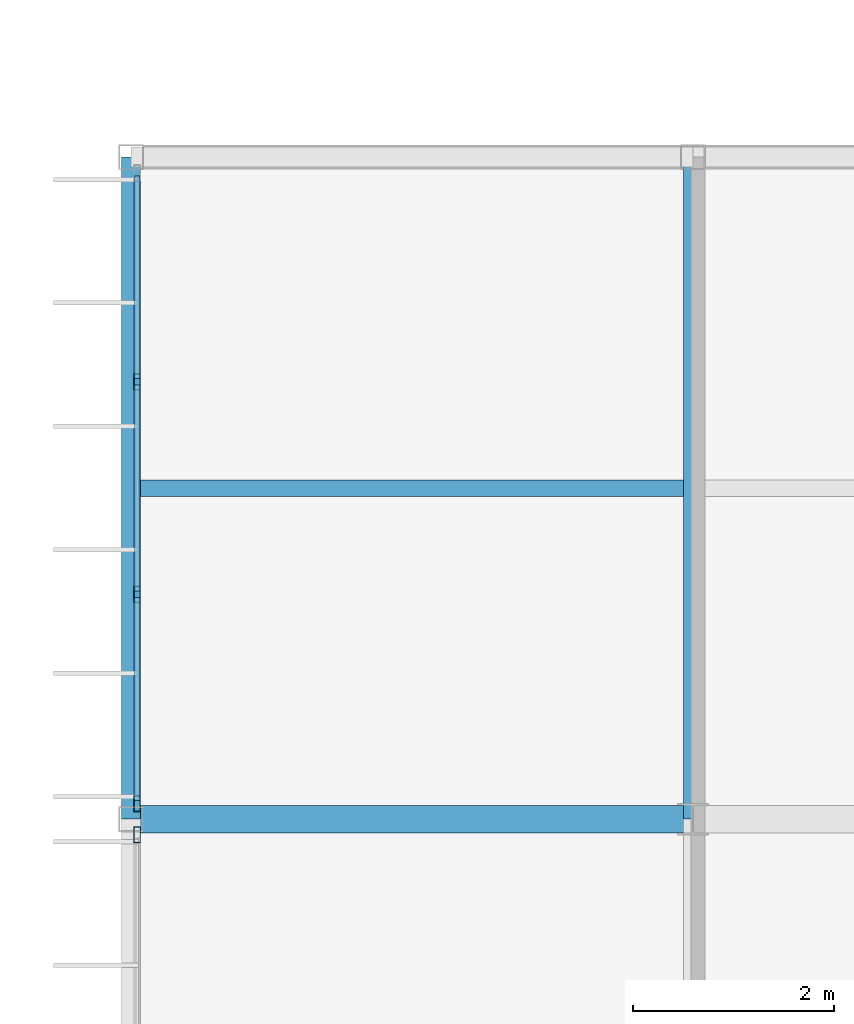
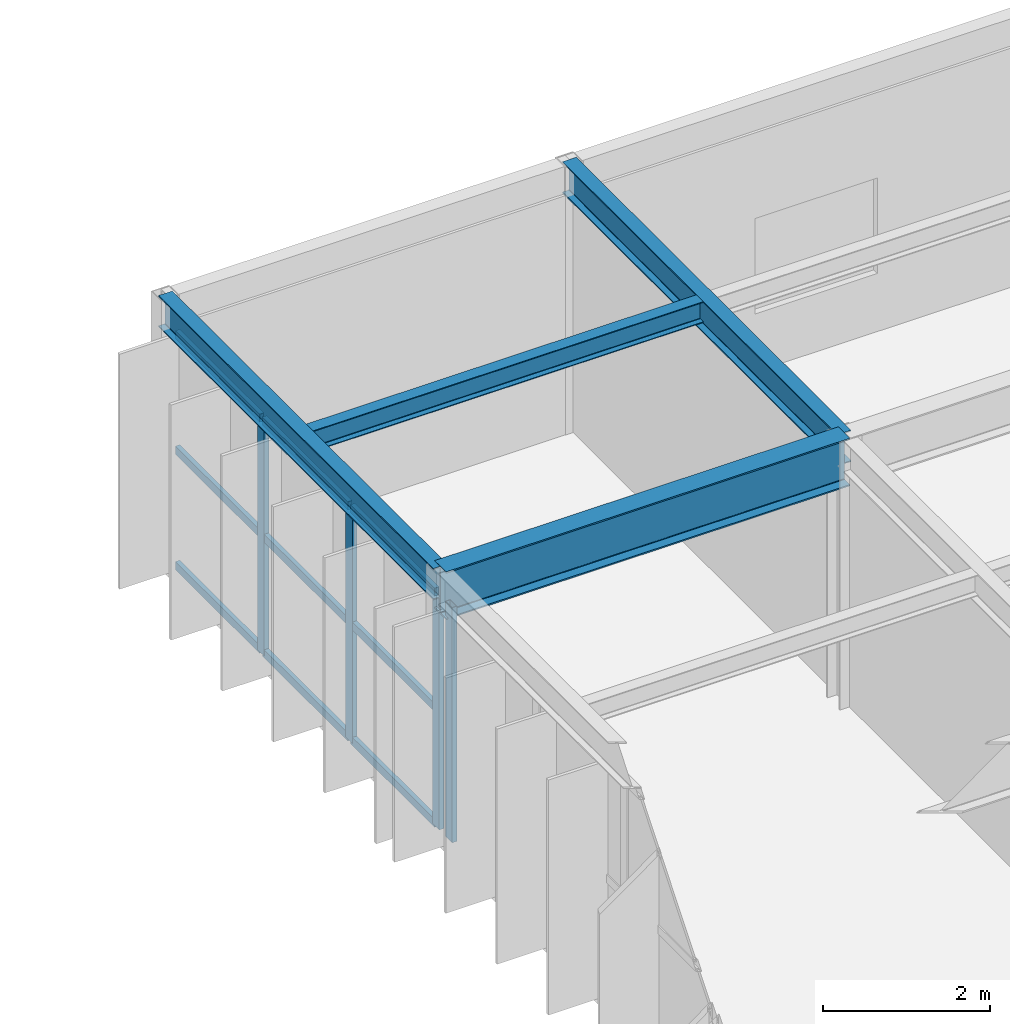
# One storey, part 78 of 157: 13 members, 4 beams, 2 elements without a shape of their own.
"""IFC4 building model written with IfcOpenShell, lengths in metres."""

import ifcopenshell
import ifcopenshell.guid

model = None  # the IFC model being written
_history = None  # IfcOwnerHistory: only IFC2X3 demands one
_inside = {}  # id of a spatial element -> (the spatial element, [elements in it])
_under = {}  # id of a project, library or spatial element -> (it, [spatial elements below it])
_declared = {}  # id of a project -> (the project, [libraries it declares])
_typed = {}  # id of a type object -> (the type object, [elements of that type])
_made_of = {}  # id of a material, layer set ... -> (it, [elements and type objects made of it])


def new_model(schema):
    """Start an empty IFC model of exactly this schema.

    Asked for "IFC4X3", IfcOpenShell would pick the latest addendum, in which some entities
    have other attributes; the version numbers below select the first issue.
    IFC2X3 requires an IfcOwnerHistory on every rooted entity: one is made here for all.
    """
    global model, _history
    if schema == "IFC4X3":
        model = ifcopenshell.file(schema_version=(4, 3, 0, 0))
    else:
        model = ifcopenshell.file(schema=schema)
    _inside.clear()
    _under.clear()
    _declared.clear()
    _typed.clear()
    _made_of.clear()
    _history = None
    if model.schema == "IFC2X3":
        org = make("IfcOrganization", Name="unknown")
        user = make(
            "IfcPersonAndOrganization",
            ThePerson=make("IfcPerson", FamilyName="unknown"),
            TheOrganization=org,
        )
        app = make(
            "IfcApplication",
            ApplicationDeveloper=org,
            Version="unknown",
            ApplicationFullName="unknown",
            ApplicationIdentifier="unknown",
        )
        _history = make(
            "IfcOwnerHistory",
            OwningUser=user,
            OwningApplication=app,
            ChangeAction="ADDED",
            CreationDate=0,
        )
    return model


def make(cls, **values):
    """One entity of the class cls with the attributes given. An attribute that is None is left unset."""
    return model.create_entity(
        cls, **{name: value for name, value in values.items() if value is not None}
    )


def rooted(cls, **values):
    """An entity with a GlobalId (a new one), such as an element, a storey or a relation."""
    return make(cls, GlobalId=ifcopenshell.guid.new(), OwnerHistory=_history, **values)


def si_unit(unit_type, name, prefix=None):
    """IfcSIUnit, for example si_unit("LENGTHUNIT", "METRE", prefix="MILLI")."""
    return make("IfcSIUnit", UnitType=unit_type, Prefix=prefix, Name=name)


def assignment(units):
    """IfcUnitAssignment: the units of a project."""
    return None if units is None else make("IfcUnitAssignment", Units=units)


def point(xyz):
    """IfcCartesianPoint."""
    return None if xyz is None else make("IfcCartesianPoint", Coordinates=xyz)


def direction(xyz):
    """IfcDirection."""
    return None if xyz is None else make("IfcDirection", DirectionRatios=xyz)


def frame(location, z_axis=None, x_axis=None):
    """IfcAxis2Placement3D, a coordinate frame: its origin and axes. An axis left out is left unset."""
    return make(
        "IfcAxis2Placement3D",
        Location=point(location),
        Axis=direction(z_axis),
        RefDirection=direction(x_axis),
    )


def frame_2d(location, x_axis=None):
    """IfcAxis2Placement2D, a coordinate frame in the plane: its origin and x axis."""
    return make(
        "IfcAxis2Placement2D", Location=point(location), RefDirection=direction(x_axis)
    )


def origin():
    """The frame at (0, 0, 0) with its axes left unset."""
    return frame((0.0, 0.0, 0.0))


def origin_2d():
    """The frame at (0, 0) in the plane with its x axis left unset."""
    return frame_2d((0.0, 0.0))


def place(relative_to, where):
    """IfcLocalPlacement: puts the frame where relative to a parent placement (None: the world)."""
    return make(
        "IfcLocalPlacement", PlacementRelTo=relative_to, RelativePlacement=where
    )


def context(
    kind, dimensions, precision=None, world=None, true_north=None, identifier=None
):
    """IfcGeometricRepresentationContext, for example the 3D "Model" context."""
    return make(
        "IfcGeometricRepresentationContext",
        ContextIdentifier=identifier,
        ContextType=kind,
        CoordinateSpaceDimension=dimensions,
        Precision=precision,
        WorldCoordinateSystem=world,
        TrueNorth=true_north,
    )


def subcontext(parent, identifier, kind, view, scale=None):
    """IfcGeometricRepresentationSubContext, for example "Body" below "Model"."""
    return make(
        "IfcGeometricRepresentationSubContext",
        ContextIdentifier=identifier,
        ContextType=kind,
        ParentContext=parent,
        TargetScale=scale,
        TargetView=view,
    )


def project(units=None, contexts=None):
    """IfcProject with its units and contexts."""
    return rooted(
        "IfcProject",
        Name="project",
        RepresentationContexts=contexts,
        UnitsInContext=assignment(units),
    )


def spatial(cls, under=None, at=None, **own):
    """A site, building, storey or space (cls), placed at a placement, below another one or the project."""
    s = rooted(cls, ObjectPlacement=at, **own)
    if under is not None:
        _under.setdefault(under.id(), (under, []))[1].append(s)
    return s


def profile(cls, at=None, kind="AREA", **sizes):
    """A parametric profile (cls). Its sizes go by their IFC names, for example OverallWidth=200.0."""
    return make(cls, ProfileType=kind, Position=at, **sizes)


def hollow_rectangle(**sizes):
    """IfcRectangleHollowProfileDef."""
    return profile("IfcRectangleHollowProfileDef", **sizes)


def i_section(**sizes):
    """IfcIShapeProfileDef."""
    return profile("IfcIShapeProfileDef", **sizes)


def extrude(swept, where, along, depth):
    """IfcExtrudedAreaSolid: the profile swept, set in the frame where, extruded along a direction by depth."""
    return make(
        "IfcExtrudedAreaSolid",
        SweptArea=swept,
        Position=where,
        ExtrudedDirection=direction(along),
        Depth=depth,
    )


def shape(context_of_items, identifier, shape_type, items):
    """IfcShapeRepresentation: the items that make up one representation, for example the "Body"."""
    return make(
        "IfcShapeRepresentation",
        ContextOfItems=context_of_items,
        RepresentationIdentifier=identifier,
        RepresentationType=shape_type,
        Items=items,
    )


def material(Name=None, Category=None):
    """IfcMaterial."""
    return make("IfcMaterial", Name=Name, Category=Category)


def material_profile(
    of_material, cross_section, Name=None, Category=None, Priority=None
):
    """IfcMaterialProfile: a cross section and its material."""
    return make(
        "IfcMaterialProfile",
        Name=Name,
        Material=of_material,
        Profile=cross_section,
        Priority=Priority,
        Category=Category,
    )


def profile_set(profiles, Name=None, composite=None):
    """IfcMaterialProfileSet."""
    return make(
        "IfcMaterialProfileSet",
        Name=Name,
        MaterialProfiles=profiles,
        CompositeProfile=composite,
    )


def made_of(thing, what):
    """Note that an element or type object is made of a material, layer set ...; save() writes the relation."""
    if what is not None:
        _made_of.setdefault(what.id(), (what, []))[1].append(thing)
    return thing


def type_object(cls, material=None, **own):
    """A type object (cls), such as IfcWallType, which elements share."""
    return made_of(rooted(cls, **own), material)


def element(
    cls,
    number,
    at=None,
    inside=None,
    cuts=None,
    type_object=None,
    material=None,
    context=None,
    identifier="Body",
    shape_type=None,
    held_by="IfcProductDefinitionShape",
    body=None,
    shapes=None,
    **own,
):
    """One element of the class cls, such as IfcWall. Its Tag is "e" and its number.

    at: its placement. inside: the storey or other place that contains it. cuts: it is an
    opening in that element (IfcRelVoidsElement). A single representation is given by context,
    identifier, shape_type and body (its items); several are given by shapes. held_by: the class
    of the entity that holds the representations. save() writes the other relations.
    """
    e = rooted(cls, Tag="e%d" % number, ObjectPlacement=at, **own)
    if body is not None:
        shapes = [shape(context, identifier, shape_type, body)]
    if shapes is not None:
        e.Representation = make(held_by, Representations=shapes)
    if inside is not None:
        _inside.setdefault(inside.id(), (inside, []))[1].append(e)
    if cuts is not None:
        rooted(
            "IfcRelVoidsElement", RelatingBuildingElement=cuts, RelatedOpeningElement=e
        )
    if type_object is not None:
        _typed.setdefault(type_object.id(), (type_object, []))[1].append(e)
    return made_of(e, material)


def aggregate(whole, parts):
    """IfcRelAggregates: a whole, such as a stair, and the parts it consists of."""
    return rooted("IfcRelAggregates", RelatingObject=whole, RelatedObjects=parts)


def save(model, path):
    """Write the relations noted so far, then the file.

    IfcRelAggregates (storeys below a building ...), IfcRelContainedInSpatialStructure (elements
    in a storey), IfcRelDefinesByType, IfcRelAssociatesMaterial and IfcRelDeclares: one each for
    every whole, place, type object, material and project.
    """
    for whole, parts in _under.values():
        aggregate(whole, parts)
    for where, things in _inside.values():
        rooted(
            "IfcRelContainedInSpatialStructure",
            RelatedElements=things,
            RelatingStructure=where,
        )
    for kind, things in _typed.values():
        rooted("IfcRelDefinesByType", RelatedObjects=things, RelatingType=kind)
    for what, things in _made_of.values():
        rooted("IfcRelAssociatesMaterial", RelatedObjects=things, RelatingMaterial=what)
    for by, libraries in _declared.values():
        rooted("IfcRelDeclares", RelatingContext=by, RelatedDefinitions=libraries)
    model.write(path)


model = new_model("IFC4")

# Units and contexts
model_context = context("Model", 3, precision=1e-05, world=origin(), true_north=direction((0.0, 1.0)))
body_context = subcontext(model_context, "Body", "Model", "MODEL_VIEW")
ifc_project = project(units=[si_unit("LENGTHUNIT", "METRE"), si_unit("AREAUNIT", "SQUARE_METRE"), si_unit("VOLUMEUNIT", "CUBIC_METRE"), si_unit("PLANEANGLEUNIT", "RADIAN"), si_unit("MASSUNIT", "GRAM", prefix="KILO")], contexts=[model_context])

# Site, building, storey
site_placement = place(None, origin())
site = spatial("IfcSite", under=ifc_project, at=site_placement, CompositionType="ELEMENT")
building_placement = place(site_placement, origin())
building = spatial("IfcBuilding", under=site, at=building_placement, Name="Karori Crest Natural Sciences Institute", CompositionType="ELEMENT")
storey_placement = place(building_placement, frame((0.0, 0.0, 13.300048828125)))
storey = spatial("IfcBuildingStorey", under=building, at=storey_placement, Name="L03", CompositionType="ELEMENT", Elevation=13.300048828125)

# Beams
ifc_material_1 = material(Name="Structural steel AS/NZS 3679.1 Grade 350", Category="steel")
ifc_material_profile_1 = material_profile(ifc_material_1, i_section(OverallWidth=0.27490234375, OverallDepth=0.699951171875, WebThickness=0.010009765625, FlangeThickness=0.02001953125, FilletRadius=0.013916015625, at=origin_2d()), Name="700WB150")
ifc_profile_set_1 = profile_set([ifc_material_profile_1], Name="Structural steel AS/NZS 3679.1 Grade 350")
beam_type_1 = type_object("IfcBeamType", Name="BT-03", PredefinedType="BEAM", material=ifc_profile_set_1)
beam_1_placement = place(storey_placement, frame((1.800048828125, 66.800048828125, 3.570068359375), z_axis=(1.0, 0.0, 0.0), x_axis=(0.0, 1.0, 0.0)))
element("IfcBeam", 1, at=beam_1_placement, inside=storey, type_object=beam_type_1, Name="Beam B-1155", PredefinedType="BEAM", context=body_context, shape_type="SweptSolid", body=[
    extrude(i_section(OverallWidth=0.27490234375, OverallDepth=0.699951171875, WebThickness=0.010009765625, FlangeThickness=0.02001953125, FilletRadius=0.013916015625, at=origin_2d()), origin(), (0.0, 0.0, 1.0), 5.599853515625),
])
ifc_material_profile_2 = material_profile(ifc_material_1, i_section(OverallWidth=0.19091796875, OverallDepth=0.4599609375, WebThickness=0.010009765625, FlangeThickness=0.01611328125, FilletRadius=0.010986328125, at=origin_2d()), Name="460UB82.1")
ifc_profile_set_2 = profile_set([ifc_material_profile_2], Name="Structural steel AS/NZS 3679.1 Grade 350")
beam_type_2 = type_object("IfcBeamType", Name="BT-06", PredefinedType="BEAM", material=ifc_profile_set_2)
beam_2_placement = place(storey_placement, frame((7.39990234375, 66.800048828125, 3.68994140625), z_axis=(0.0, 1.0, 0.0), x_axis=(-1.0, 0.0, 0.0)))
element("IfcBeam", 2, at=beam_2_placement, inside=storey, type_object=beam_type_2, Name="Beam B-1174", PredefinedType="BEAM", context=body_context, shape_type="SweptSolid", body=[
    extrude(i_section(OverallWidth=0.19091796875, OverallDepth=0.4599609375, WebThickness=0.010009765625, FlangeThickness=0.01611328125, FilletRadius=0.010986328125, at=origin_2d()), origin(), (0.0, 0.0, 1.0), 6.599853515625),
])
ifc_material_profile_3 = material_profile(ifc_material_1, i_section(OverallWidth=0.19091796875, OverallDepth=0.4599609375, WebThickness=0.010009765625, FlangeThickness=0.01611328125, FilletRadius=0.010986328125, at=origin_2d()), Name="460UB82.1")
ifc_profile_set_3 = profile_set([ifc_material_profile_3], Name="Structural steel AS/NZS 3679.1 Grade 350")
beam_type_3 = type_object("IfcBeamType", Name="BT-06-EL", PredefinedType="BEAM", material=ifc_profile_set_3)
beam_3_placement = place(storey_placement, frame((1.800048828125, 66.800048828125, 3.68994140625), z_axis=(0.0, 1.0, 0.0), x_axis=(-1.0, 0.0, 0.0)))
element("IfcBeam", 3, at=beam_3_placement, inside=storey, type_object=beam_type_3, Name="Beam B-1167", PredefinedType="BEAM", context=body_context, shape_type="SweptSolid", body=[
    extrude(i_section(OverallWidth=0.19091796875, OverallDepth=0.4599609375, WebThickness=0.010009765625, FlangeThickness=0.01611328125, FilletRadius=0.010986328125, at=origin_2d()), origin(), (0.0, 0.0, 1.0), 6.599853515625),
])
ifc_material_profile_4 = material_profile(ifc_material_1, i_section(OverallWidth=0.166015625, OverallDepth=0.306884765625, WebThickness=0.006591796875, FlangeThickness=0.01171875, FilletRadius=0.010986328125, at=origin_2d()), Name="310UB46.2")
ifc_profile_set_4 = profile_set([ifc_material_profile_4], Name="Structural steel AS/NZS 3679.1 Grade 350")
beam_type_4 = type_object("IfcBeamType", Name="BT-09", PredefinedType="BEAM", material=ifc_profile_set_4)
beam_4_placement = place(storey_placement, frame((1.8955078125, 70.10009765625, 3.766357421875), z_axis=(1.0, 0.0, 0.0), x_axis=(0.0, 1.0, 0.0)))
element("IfcBeam", 4, at=beam_4_placement, inside=storey, type_object=beam_type_4, Name="Beam B-1193", PredefinedType="BEAM", context=body_context, shape_type="SweptSolid", body=[
    extrude(i_section(OverallWidth=0.166015625, OverallDepth=0.306884765625, WebThickness=0.006591796875, FlangeThickness=0.01171875, FilletRadius=0.010986328125, at=origin_2d()), origin(), (0.0, 0.0, 1.0), 5.408935546875),
])

# Curtain wall, member
ifc_material_2 = material(Name="Anodised architectural aluminium 6063-T6", Category="aluminium")
curtain_wall_type = type_object("IfcCurtainWallType", Name="CWT-17", PredefinedType="NOTDEFINED", material=ifc_material_2)
curtain_wall_1_placement = place(storey_placement, origin())
curtain_wall_1 = element("IfcCurtainWall", 5, at=curtain_wall_1_placement, inside=storey, type_object=curtain_wall_type, Name="Curtain wall CW-0281", PredefinedType="NOTDEFINED")
ifc_material_profile_5 = material_profile(ifc_material_2, hollow_rectangle(XDim=0.06494140625, YDim=0.159912109375, WallThickness=0.00390625, at=origin_2d()), Name="CWM160x65x4")
ifc_profile_set_5 = profile_set([ifc_material_profile_5], Name="Anodised architectural aluminium 6063-T6")
member_type_1 = type_object("IfcMemberType", Name="CWM-01", PredefinedType="MULLION", material=ifc_profile_set_5)
member_1_placement = place(storey_placement, frame((1.860107421875, 66.64453125, 0.0), z_axis=(0.0, 0.0, 1.0), x_axis=(-1.0, 0.0, 0.0)))
member_1 = element("IfcMember", 6, at=member_1_placement, type_object=member_type_1, Name="CW-0281 mullion 4", PredefinedType="MULLION", context=body_context, shape_type="SweptSolid", body=[
    extrude(hollow_rectangle(XDim=0.06494140625, YDim=0.159912109375, WallThickness=0.00390625, at=origin_2d()), origin(), (0.0, 0.0, 1.0), 3.445068359375),
])
aggregate(curtain_wall_1, [member_1])

# Curtain wall, members
curtain_wall_2_placement = place(storey_placement, origin())
curtain_wall_2 = element("IfcCurtainWall", 7, at=curtain_wall_2_placement, inside=storey, type_object=curtain_wall_type, Name="Curtain wall CW-0282", PredefinedType="NOTDEFINED")
member_2_placement = place(storey_placement, frame((1.860107421875, 66.95556640625, 0.0), z_axis=(0.0, 0.0, 1.0), x_axis=(-1.0, 0.0, 0.0)))
member_2 = element("IfcMember", 8, at=member_2_placement, type_object=member_type_1, Name="CW-0282 mullion 1", PredefinedType="MULLION", context=body_context, shape_type="SweptSolid", body=[
    extrude(hollow_rectangle(XDim=0.06494140625, YDim=0.159912109375, WallThickness=0.00390625, at=origin_2d()), origin(), (0.0, 0.0, 1.0), 3.445068359375),
])
member_3_placement = place(storey_placement, frame((1.860107421875, 69.041015625, 0.0), z_axis=(0.0, 0.0, 1.0), x_axis=(-1.0, 0.0, 0.0)))
member_3 = element("IfcMember", 9, at=member_3_placement, type_object=member_type_1, Name="CW-0282 mullion 2", PredefinedType="MULLION", context=body_context, shape_type="SweptSolid", body=[
    extrude(hollow_rectangle(XDim=0.06494140625, YDim=0.159912109375, WallThickness=0.00390625, at=origin_2d()), origin(), (0.0, 0.0, 1.0), 3.445068359375),
])
member_4_placement = place(storey_placement, frame((1.860107421875, 71.158935546875, 0.0), z_axis=(0.0, 0.0, 1.0), x_axis=(-1.0, 0.0, 0.0)))
member_4 = element("IfcMember", 10, at=member_4_placement, type_object=member_type_1, Name="CW-0282 mullion 3", PredefinedType="MULLION", context=body_context, shape_type="SweptSolid", body=[
    extrude(hollow_rectangle(XDim=0.06494140625, YDim=0.159912109375, WallThickness=0.00390625, at=origin_2d()), origin(), (0.0, 0.0, 1.0), 3.445068359375),
])
ifc_material_profile_6 = material_profile(ifc_material_2, hollow_rectangle(XDim=0.06005859375, YDim=0.1201171875, WallThickness=0.00390625, at=origin_2d()), Name="CWT120x60x4")
ifc_profile_set_6 = profile_set([ifc_material_profile_6], Name="Anodised architectural aluminium 6063-T6")
member_type_2 = type_object("IfcMemberType", Name="CWT-TR1", PredefinedType="USERDEFINED", material=ifc_profile_set_6)
member_5_placement = place(storey_placement, frame((1.860107421875, 66.988037109375, 0.030029296875), z_axis=(0.0, 1.0, 0.0), x_axis=(-1.0, 0.0, 0.0)))
member_5 = element("IfcMember", 11, at=member_5_placement, type_object=member_type_2, Name="CW-0282 transom 1.1", ObjectType="TRANSOM", PredefinedType="USERDEFINED", context=body_context, shape_type="SweptSolid", body=[
    extrude(hollow_rectangle(XDim=0.06005859375, YDim=0.1201171875, WallThickness=0.00390625, at=origin_2d()), origin(), (0.0, 0.0, 1.0), 2.0205078125),
])
member_6_placement = place(storey_placement, frame((1.860107421875, 66.988037109375, 1.722412109375), z_axis=(0.0, 1.0, 0.0), x_axis=(-1.0, 0.0, 0.0)))
member_6 = element("IfcMember", 12, at=member_6_placement, type_object=member_type_2, Name="CW-0282 transom 1.2", ObjectType="TRANSOM", PredefinedType="USERDEFINED", context=body_context, shape_type="SweptSolid", body=[
    extrude(hollow_rectangle(XDim=0.06005859375, YDim=0.1201171875, WallThickness=0.00390625, at=origin_2d()), origin(), (0.0, 0.0, 1.0), 2.0205078125),
])
member_7_placement = place(storey_placement, frame((1.860107421875, 66.988037109375, 3.4150390625), z_axis=(0.0, 1.0, 0.0), x_axis=(-1.0, 0.0, 0.0)))
member_7 = element("IfcMember", 13, at=member_7_placement, type_object=member_type_2, Name="CW-0282 transom 1.3", ObjectType="TRANSOM", PredefinedType="USERDEFINED", context=body_context, shape_type="SweptSolid", body=[
    extrude(hollow_rectangle(XDim=0.06005859375, YDim=0.1201171875, WallThickness=0.00390625, at=origin_2d()), origin(), (0.0, 0.0, 1.0), 2.0205078125),
])
member_8_placement = place(storey_placement, frame((1.860107421875, 69.073486328125, 0.030029296875), z_axis=(0.0, 1.0, 0.0), x_axis=(-1.0, 0.0, 0.0)))
member_8 = element("IfcMember", 14, at=member_8_placement, type_object=member_type_2, Name="CW-0282 transom 2.1", ObjectType="TRANSOM", PredefinedType="USERDEFINED", context=body_context, shape_type="SweptSolid", body=[
    extrude(hollow_rectangle(XDim=0.06005859375, YDim=0.1201171875, WallThickness=0.00390625, at=origin_2d()), origin(), (0.0, 0.0, 1.0), 2.052978515625),
])
member_9_placement = place(storey_placement, frame((1.860107421875, 69.073486328125, 1.722412109375), z_axis=(0.0, 1.0, 0.0), x_axis=(-1.0, 0.0, 0.0)))
member_9 = element("IfcMember", 15, at=member_9_placement, type_object=member_type_2, Name="CW-0282 transom 2.2", ObjectType="TRANSOM", PredefinedType="USERDEFINED", context=body_context, shape_type="SweptSolid", body=[
    extrude(hollow_rectangle(XDim=0.06005859375, YDim=0.1201171875, WallThickness=0.00390625, at=origin_2d()), origin(), (0.0, 0.0, 1.0), 2.052978515625),
])
member_10_placement = place(storey_placement, frame((1.860107421875, 69.073486328125, 3.4150390625), z_axis=(0.0, 1.0, 0.0), x_axis=(-1.0, 0.0, 0.0)))
member_10 = element("IfcMember", 16, at=member_10_placement, type_object=member_type_2, Name="CW-0282 transom 2.3", ObjectType="TRANSOM", PredefinedType="USERDEFINED", context=body_context, shape_type="SweptSolid", body=[
    extrude(hollow_rectangle(XDim=0.06005859375, YDim=0.1201171875, WallThickness=0.00390625, at=origin_2d()), origin(), (0.0, 0.0, 1.0), 2.052978515625),
])
member_11_placement = place(storey_placement, frame((1.860107421875, 71.19140625, 0.030029296875), z_axis=(0.0, 1.0, 0.0), x_axis=(-1.0, 0.0, 0.0)))
member_11 = element("IfcMember", 17, at=member_11_placement, type_object=member_type_2, Name="CW-0282 transom 3.1", ObjectType="TRANSOM", PredefinedType="USERDEFINED", context=body_context, shape_type="SweptSolid", body=[
    extrude(hollow_rectangle(XDim=0.06005859375, YDim=0.1201171875, WallThickness=0.00390625, at=origin_2d()), origin(), (0.0, 0.0, 1.0), 2.0205078125),
])
member_12_placement = place(storey_placement, frame((1.860107421875, 71.19140625, 1.722412109375), z_axis=(0.0, 1.0, 0.0), x_axis=(-1.0, 0.0, 0.0)))
member_12 = element("IfcMember", 18, at=member_12_placement, type_object=member_type_2, Name="CW-0282 transom 3.2", ObjectType="TRANSOM", PredefinedType="USERDEFINED", context=body_context, shape_type="SweptSolid", body=[
    extrude(hollow_rectangle(XDim=0.06005859375, YDim=0.1201171875, WallThickness=0.00390625, at=origin_2d()), origin(), (0.0, 0.0, 1.0), 2.0205078125),
])
member_13_placement = place(storey_placement, frame((1.860107421875, 71.19140625, 3.4150390625), z_axis=(0.0, 1.0, 0.0), x_axis=(-1.0, 0.0, 0.0)))
member_13 = element("IfcMember", 19, at=member_13_placement, type_object=member_type_2, Name="CW-0282 transom 3.3", ObjectType="TRANSOM", PredefinedType="USERDEFINED", context=body_context, shape_type="SweptSolid", body=[
    extrude(hollow_rectangle(XDim=0.06005859375, YDim=0.1201171875, WallThickness=0.00390625, at=origin_2d()), origin(), (0.0, 0.0, 1.0), 2.0205078125),
])
aggregate(curtain_wall_2, [member_2, member_3, member_4, member_5, member_6, member_7, member_8, member_9, member_10, member_11, member_12, member_13])

save(model, "model.ifc")
